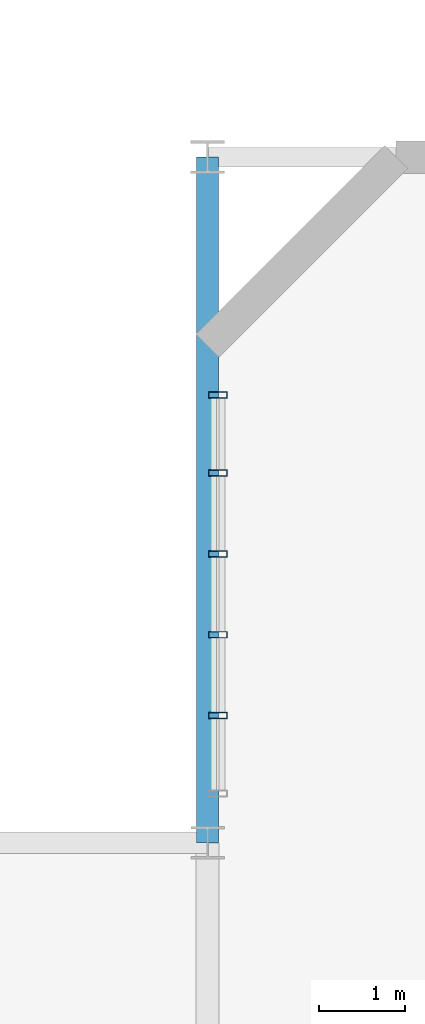
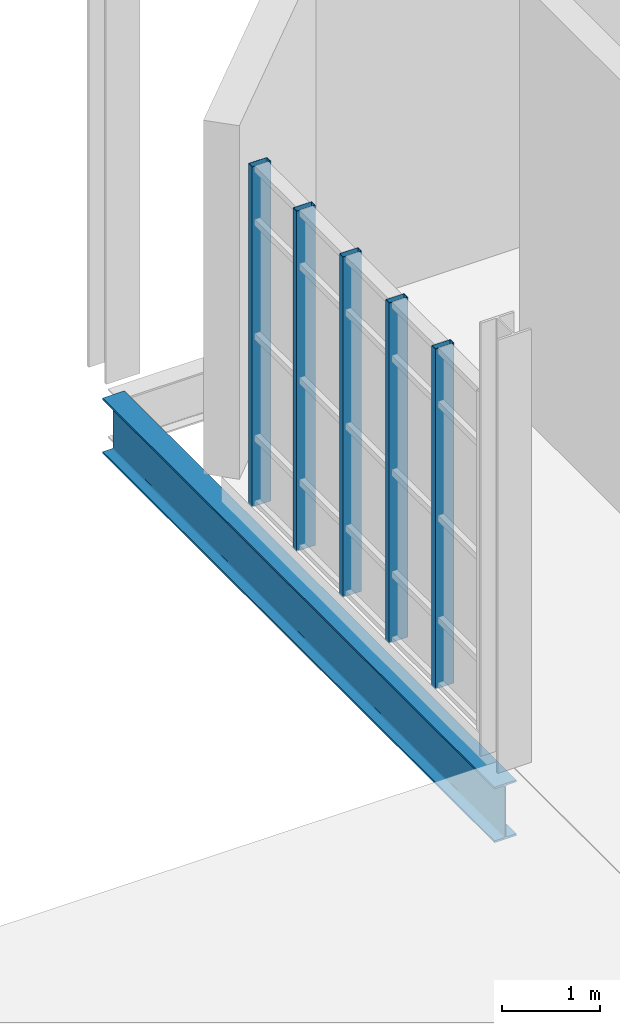
# One storey, part 19 of 189: 5 members, 1 beam, 1 element without a shape of its own.
"""IFC4 building model written with IfcOpenShell, lengths in metres."""

from ifc_helpers import new_model, si_unit, direction, frame, origin, origin_2d, place, context, subcontext, project, spatial, hollow_rectangle, i_section, extrude, material, layer, layer_set, material_profile, profile_set, type_object, element, aggregate, save


model = new_model("IFC4")

# Units and contexts
model_context = context("Model", 3, precision=1e-05, world=origin(), true_north=direction((0.0, 1.0)))
body_context = subcontext(model_context, "Body", "Model", "MODEL_VIEW")
ifc_project = project(units=[si_unit("LENGTHUNIT", "METRE"), si_unit("AREAUNIT", "SQUARE_METRE"), si_unit("VOLUMEUNIT", "CUBIC_METRE"), si_unit("PLANEANGLEUNIT", "RADIAN"), si_unit("MASSUNIT", "GRAM", prefix="KILO"), si_unit("THERMODYNAMICTEMPERATUREUNIT", "KELVIN"), si_unit("POWERUNIT", "WATT")], contexts=[model_context])

# Site, building, storey
site_placement = place(None, origin())
site = spatial("IfcSite", under=ifc_project, at=site_placement, CompositionType="ELEMENT")
building_placement = place(site_placement, origin())
building = spatial("IfcBuilding", under=site, at=building_placement, Name="Zelmaris Science Centre", CompositionType="ELEMENT")
storey_placement = place(building_placement, origin())
storey = spatial("IfcBuildingStorey", under=building, at=storey_placement, Name="L00", CompositionType="ELEMENT", Elevation=0.0)

# Curtain wall, members
ifc_material_1 = material(Name="Anodised architectural aluminium 6063-T6", Category="aluminium")
ifc_layer = layer(ifc_material_1, 0.199951171875, Name="Anodised architectural aluminium 6063-T6")
ifc_layer_set = layer_set([ifc_layer], Name="Anodised architectural aluminium 6063-T6")
curtain_wall_type = type_object("IfcCurtainWallType", Name="Curtain Wall CW-02", PredefinedType="USERDEFINED", material=ifc_layer_set)
curtain_wall_placement = place(storey_placement, origin())
curtain_wall = element("IfcCurtainWall", 1, at=curtain_wall_placement, inside=storey, type_object=curtain_wall_type, Name="L00 Unitised curtain wall 6", ObjectType="GLAZED CURTAIN WALL", PredefinedType="USERDEFINED")
ifc_material_profile_1 = material_profile(ifc_material_1, hollow_rectangle(XDim=0.074951171875, YDim=0.219970703125, WallThickness=0.0048828125, at=origin_2d()), Name="ALU-MUL-75X220")
ifc_profile_set_1 = profile_set([ifc_material_profile_1], Name="Anodised architectural aluminium 6063-T6")
member_type = type_object("IfcMemberType", Name="ALU-MUL-75X220", PredefinedType="MULLION", material=ifc_profile_set_1)
member_1_placement = place(storey_placement, frame((9.1201171875, 33.48388671875, -0.014892578125), z_axis=(0.0, 0.0, 1.0), x_axis=(0.0, 1.0, 0.0)))
member_1 = element("IfcMember", 2, at=member_1_placement, type_object=member_type, Name="CW-02 mullion 2", PredefinedType="MULLION", context=body_context, shape_type="SweptSolid", body=[
    extrude(hollow_rectangle(XDim=0.074951171875, YDim=0.219970703125, WallThickness=0.0048828125, at=origin_2d()), origin(), (0.0, 0.0, 1.0), 4.240966796875),
])
member_2_placement = place(storey_placement, frame((9.1201171875, 34.427978515625, -0.014892578125), z_axis=(0.0, 0.0, 1.0), x_axis=(0.0, 1.0, 0.0)))
member_2 = element("IfcMember", 3, at=member_2_placement, type_object=member_type, Name="CW-02 mullion 3", PredefinedType="MULLION", context=body_context, shape_type="SweptSolid", body=[
    extrude(hollow_rectangle(XDim=0.074951171875, YDim=0.219970703125, WallThickness=0.0048828125, at=origin_2d()), origin(), (0.0, 0.0, 1.0), 4.240966796875),
])
member_3_placement = place(storey_placement, frame((9.1201171875, 35.3720703125, -0.014892578125), z_axis=(0.0, 0.0, 1.0), x_axis=(0.0, 1.0, 0.0)))
member_3 = element("IfcMember", 4, at=member_3_placement, type_object=member_type, Name="CW-02 mullion 4", PredefinedType="MULLION", context=body_context, shape_type="SweptSolid", body=[
    extrude(hollow_rectangle(XDim=0.074951171875, YDim=0.219970703125, WallThickness=0.0048828125, at=origin_2d()), origin(), (0.0, 0.0, 1.0), 4.240966796875),
])
member_4_placement = place(storey_placement, frame((9.1201171875, 36.31591796875, -0.014892578125), z_axis=(0.0, 0.0, 1.0), x_axis=(0.0, 1.0, 0.0)))
member_4 = element("IfcMember", 5, at=member_4_placement, type_object=member_type, Name="CW-02 mullion 5", PredefinedType="MULLION", context=body_context, shape_type="SweptSolid", body=[
    extrude(hollow_rectangle(XDim=0.074951171875, YDim=0.219970703125, WallThickness=0.0048828125, at=origin_2d()), origin(), (0.0, 0.0, 1.0), 4.240966796875),
])
member_5_placement = place(storey_placement, frame((9.1201171875, 37.2265625, -0.014892578125), z_axis=(0.0, 0.0, 1.0), x_axis=(0.0, 1.0, 0.0)))
member_5 = element("IfcMember", 6, at=member_5_placement, type_object=member_type, Name="CW-02 mullion 6", PredefinedType="MULLION", context=body_context, shape_type="SweptSolid", body=[
    extrude(hollow_rectangle(XDim=0.074951171875, YDim=0.219970703125, WallThickness=0.0048828125, at=origin_2d()), origin(), (0.0, 0.0, 1.0), 4.240966796875),
])
aggregate(curtain_wall, [member_1, member_2, member_3, member_4, member_5])

# Beam
ifc_material_2 = material(Name="Steel ASTM A992 Grade 50", Category="steel")
ifc_material_profile_2 = material_profile(ifc_material_2, i_section(OverallWidth=0.257080078125, OverallDepth=0.693115234375, WebThickness=0.014404296875, FlangeThickness=0.023681640625, FilletRadius=0.01806640625, at=origin_2d()), Name="W27X114")
ifc_profile_set_2 = profile_set([ifc_material_profile_2], Name="Steel ASTM A992 Grade 50")
beam_type = type_object("IfcBeamType", Name="Beam G-12 W27X114", PredefinedType="BEAM", material=ifc_profile_set_2)
beam_placement = place(storey_placement, frame((9.0, 32.0, -0.656494140625), z_axis=(0.0, 1.0, 0.0), x_axis=(-1.0, 0.0, 0.0)))
element("IfcBeam", 7, at=beam_placement, inside=storey, type_object=beam_type, Name="L00 North-south girder 6", PredefinedType="BEAM", context=body_context, shape_type="SweptSolid", body=[
    extrude(i_section(OverallWidth=0.257080078125, OverallDepth=0.693115234375, WebThickness=0.014404296875, FlangeThickness=0.023681640625, FilletRadius=0.01806640625, at=origin_2d()), origin(), (0.0, 0.0, 1.0), 8.0),
])

save(model, "model.ifc")
